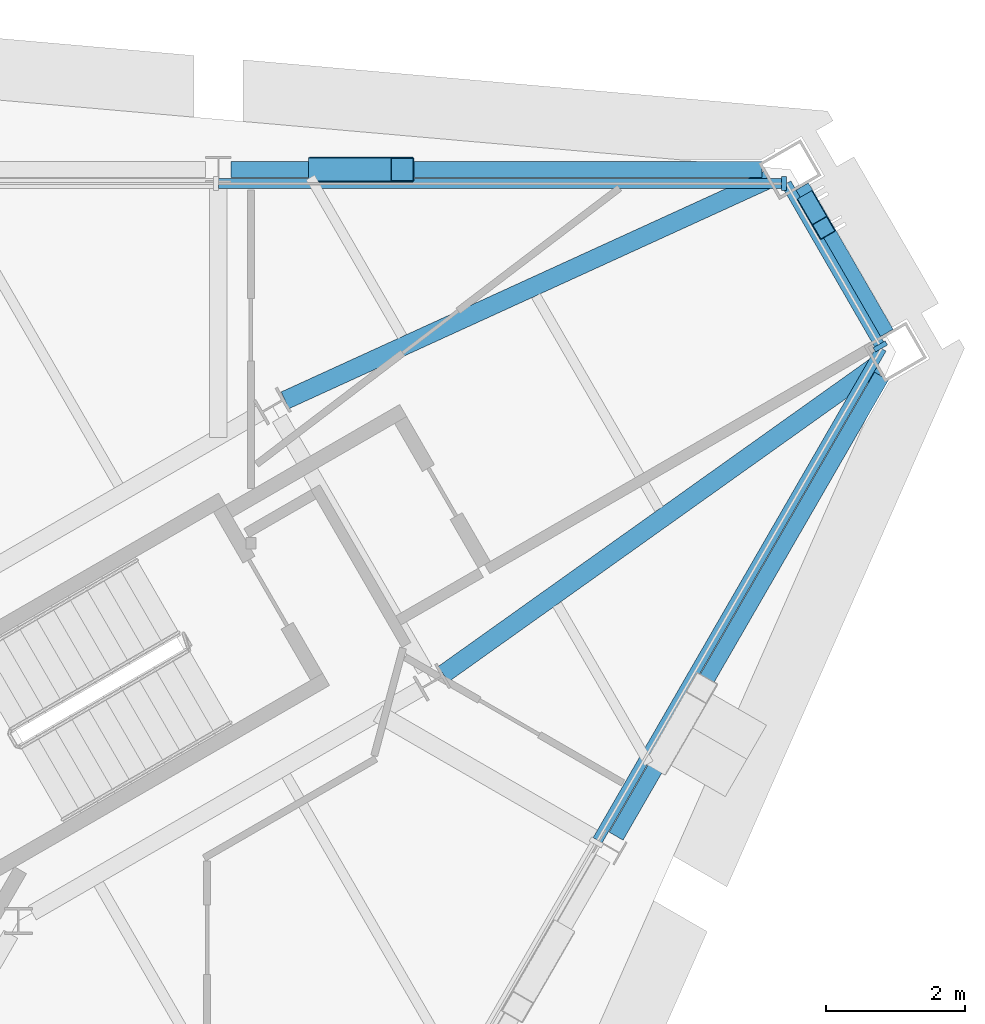
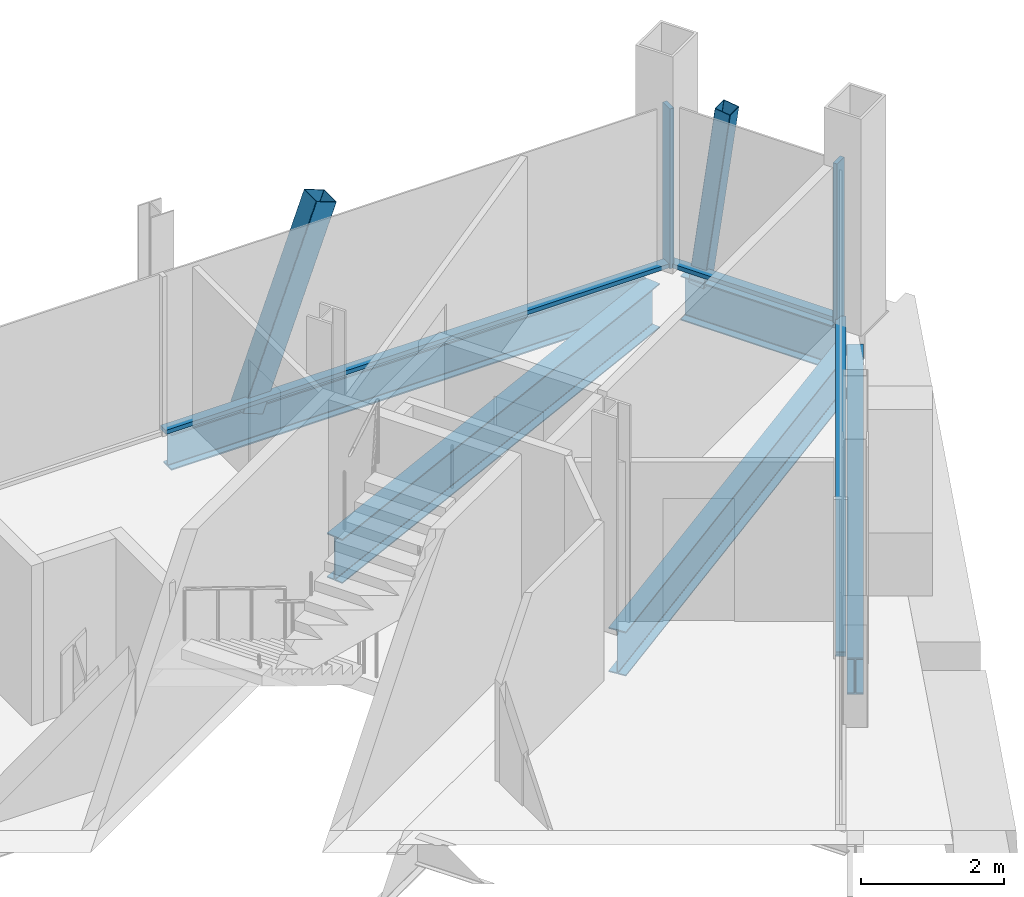
# One storey, part 6 of 13: 7 members, 5 beams, 3 elements without a shape of their own.
"""IFC4 building model written with IfcOpenShell, lengths in metres."""

from ifc_helpers import new_model, si_unit, direction, frame, origin, origin_2d, place, context, subcontext, project, spatial, rectangle, hollow_rectangle, i_section, extrude, material, material_profile, profile_set, type_object, element, aggregate, save


model = new_model("IFC4")

# Units and contexts
model_context = context("Model", 3, precision=1e-05, world=origin(), true_north=direction((0.0, 1.0)))
body_context = subcontext(model_context, "Body", "Model", "MODEL_VIEW")
ifc_project = project(units=[si_unit("LENGTHUNIT", "METRE"), si_unit("AREAUNIT", "SQUARE_METRE"), si_unit("VOLUMEUNIT", "CUBIC_METRE"), si_unit("PLANEANGLEUNIT", "RADIAN"), si_unit("MASSUNIT", "GRAM", prefix="KILO")], contexts=[model_context])

# Site, building, storey
site_placement = place(None, origin())
site = spatial("IfcSite", under=ifc_project, at=site_placement, CompositionType="ELEMENT")
building_placement = place(site_placement, origin())
building = spatial("IfcBuilding", under=site, at=building_placement, Name="Verrane Prism Tower", CompositionType="ELEMENT")
storey_placement = place(building_placement, frame((0.0, 0.0, 289.89990234375)))
storey = spatial("IfcBuildingStorey", under=building, at=storey_placement, Name="L73", CompositionType="ELEMENT", Elevation=289.89990234375)

# Member
ifc_material_1 = material(Name="Steel A500 Grade C", Category="steel")
ifc_material_profile_1 = material_profile(ifc_material_1, hollow_rectangle(XDim=0.25390625, YDim=0.25390625, WallThickness=0.009521484375, InnerFilletRadius=0.0048828125, OuterFilletRadius=0.014404296875, at=origin_2d()), Name="HSS10x10x3/8")
ifc_profile_set_1 = profile_set([ifc_material_profile_1], Name="Steel A500 Grade C")
member_type_1 = type_object("IfcMemberType", Name="Chamfer brace HSS10x10x3/8", PredefinedType="BRACE", material=ifc_profile_set_1)
member_1_placement = place(storey_placement, frame((20.87353515625, 13.176513671875, -0.242431640625), z_axis=(0.067861913608, -0.117357529496, 0.990768374017), x_axis=(0.865688187955, 0.500583620621, 0.0)))
element("IfcMember", 1, at=member_1_placement, inside=storey, type_object=member_type_1, Name="Chamfer brace NE0 L73", PredefinedType="BRACE", context=body_context, shape_type="SweptSolid", body=[
    extrude(hollow_rectangle(XDim=0.25390625, YDim=0.25390625, WallThickness=0.009521484375, InnerFilletRadius=0.0048828125, OuterFilletRadius=0.014404296875, at=origin_2d()), origin(), (0.0, 0.0, 1.0), 3.13720703125),
])

# Beams
ifc_material_2 = material(Name="Steel A992", Category="steel")
ifc_material_profile_2 = material_profile(ifc_material_2, i_section(OverallWidth=0.2666015625, OverallDepth=0.7568359375, WebThickness=0.013916015625, FlangeThickness=0.019287109375, FilletRadius=0.0166015625, at=origin_2d()), Name="W30x108")
ifc_profile_set_2 = profile_set([ifc_material_profile_2], Name="Steel A992")
beam_type_1 = type_object("IfcBeamType", Name="Chamfer spandrel beam W30x108", PredefinedType="SPANDREL", material=ifc_profile_set_2)
beam_1_placement = place(storey_placement, frame((21.969970703125, 11.27978515625, -0.538330078125), z_axis=(-0.500436097356, 0.865773476415, 0.0), x_axis=(-0.865773476415, -0.500436097356, 0.0)))
element("IfcBeam", 2, at=beam_1_placement, inside=storey, type_object=beam_type_1, Name="Chamfer spandrel beam L73", PredefinedType="SPANDREL", context=body_context, shape_type="SweptSolid", body=[
    extrude(i_section(OverallWidth=0.2666015625, OverallDepth=0.7568359375, WebThickness=0.013916015625, FlangeThickness=0.019287109375, FilletRadius=0.0166015625, at=origin_2d()), origin(), (0.0, 0.0, 1.0), 2.437744140625),
])
ifc_material_3 = material(Name="Steel A992", Category="steel")
ifc_material_profile_3 = material_profile(ifc_material_3, i_section(OverallWidth=0.2666015625, OverallDepth=0.7568359375, WebThickness=0.013916015625, FlangeThickness=0.019287109375, FilletRadius=0.0166015625, at=origin_2d()), Name="W30x108")
ifc_profile_set_3 = profile_set([ifc_material_profile_3], Name="Steel A992")
beam_type_2 = type_object("IfcBeamType", Name="Corner girder W30x108", PredefinedType="BEAM", material=ifc_profile_set_3)
for number, where, z_axis, x_axis, name in (
    (3, (21.833740234375, 10.81591796875, -0.598388671875), (-0.814401339816, -0.580302040067, 0.0), (0.580302040067, -0.814401339816, 0.0), "Corner girder L73"),
    (4, (20.2802734375, 13.50390625, -0.598388671875), (-0.909481370613, -0.415744677065, 0.0), (0.415744677065, -0.909481370613, 0.0), "Corner girder L73"),
):
    element("IfcBeam", number, at=place(storey_placement, frame(where, z_axis=z_axis, x_axis=x_axis)), inside=storey, type_object=beam_type_2, Name=name, PredefinedType="BEAM", context=body_context, shape_type="SweptSolid", body=[
        extrude(i_section(OverallWidth=0.2666015625, OverallDepth=0.7568359375, WebThickness=0.013916015625, FlangeThickness=0.019287109375, FilletRadius=0.0166015625, at=origin_2d()), origin(), (0.0, 0.0, 1.0), 7.650634765625),
    ])

# Member
ifc_material_4 = material(Name="Steel A500 Grade C", Category="steel")
ifc_material_profile_4 = material_profile(ifc_material_4, hollow_rectangle(XDim=0.355712890625, YDim=0.355712890625, WallThickness=0.0126953125, InnerFilletRadius=0.00634765625, OuterFilletRadius=0.01904296875, at=origin_2d()), Name="HSS14x14x1/2")
ifc_profile_set_4 = profile_set([ifc_material_profile_4], Name="Steel A500 Grade C")
member_type_2 = type_object("IfcMemberType", Name="Facade brace HSS14x14x1/2", PredefinedType="BRACE", material=ifc_profile_set_4)
member_2_placement = place(storey_placement, frame((13.826904296875, 13.64990234375, -0.216552734375), z_axis=(0.34797434891, 0.0, 0.937504054658), x_axis=(0.0, 1.0, 0.0)))
element("IfcMember", 5, at=member_2_placement, inside=storey, type_object=member_type_2, Name="Facade brace N0 L73", PredefinedType="BRACE", context=body_context, shape_type="SweptSolid", body=[
    extrude(hollow_rectangle(XDim=0.355712890625, YDim=0.355712890625, WallThickness=0.0126953125, InnerFilletRadius=0.00634765625, OuterFilletRadius=0.01904296875, at=origin_2d()), origin(), (0.0, 0.0, 1.0), 3.4091796875),
])

# Curtain wall, member
ifc_material_5 = material(Name="Aluminium framed insulated glazing", Category="aluminium")
curtain_wall_type = type_object("IfcCurtainWallType", Name="Curtain wall CW-A 8400 module", PredefinedType="NOTDEFINED", material=ifc_material_5)
curtain_wall_1_placement = place(storey_placement, origin())
curtain_wall_1 = element("IfcCurtainWall", 6, at=curtain_wall_1_placement, inside=storey, type_object=curtain_wall_type, Name="Glazed curtain wall north-east corner L73", PredefinedType="NOTDEFINED")
ifc_material_6 = material(Name="Aluminium alloy 6063-T6", Category="aluminium")
ifc_material_profile_5 = material_profile(ifc_material_6, rectangle(XDim=0.199951171875, YDim=0.070068359375, at=origin_2d()), Name="Mullion 70x200 aluminium")
ifc_profile_set_5 = profile_set([ifc_material_profile_5], Name="Aluminium alloy 6063-T6")
member_type_3 = type_object("IfcMemberType", Name="Mullion 70x200 aluminium", PredefinedType="MULLION", material=ifc_profile_set_5)
member_3_placement = place(storey_placement, frame((21.901123046875, 11.10009765625, 0.0), z_axis=(0.0, 0.0, 1.0), x_axis=(-0.866024225493, -0.500002040855, 0.0)))
member_3 = element("IfcMember", 7, at=member_3_placement, type_object=member_type_3, Name="CW72.1 mullion 1", PredefinedType="MULLION", context=body_context, shape_type="SweptSolid", body=[
    extrude(rectangle(XDim=0.199951171875, YDim=0.070068359375, at=origin_2d()), origin(), (0.0, 0.0, 1.0), 2.72314453125),
])

curtain_wall_2_placement = place(storey_placement, origin())
curtain_wall_2 = element("IfcCurtainWall", 8, at=curtain_wall_2_placement, inside=storey, type_object=curtain_wall_type, Name="Glazed curtain wall north face L73", PredefinedType="NOTDEFINED")
member_4_placement = place(storey_placement, frame((20.510986328125, 13.447265625, 0.0), z_axis=(0.0, 0.0, 1.0), x_axis=(0.0, -1.0, 0.0)))
member_4 = element("IfcMember", 9, at=member_4_placement, type_object=member_type_3, Name="CW72.2 mullion 1", PredefinedType="MULLION", context=body_context, shape_type="SweptSolid", body=[
    extrude(rectangle(XDim=0.199951171875, YDim=0.070068359375, at=origin_2d()), origin(), (0.0, 0.0, 1.0), 2.72314453125),
])

# Beams
ifc_material_7 = material(Name="Steel A992", Category="steel")
ifc_material_profile_6 = material_profile(ifc_material_7, i_section(OverallWidth=0.23046875, OverallDepth=0.6171875, WebThickness=0.01318359375, FlangeThickness=0.022216796875, FilletRadius=0.012939453125, at=origin_2d()), Name="W24x94")
ifc_profile_set_6 = profile_set([ifc_material_profile_6], Name="Steel A992")
beam_type_3 = type_object("IfcBeamType", Name="Spandrel beam W24x94", PredefinedType="SPANDREL", material=ifc_profile_set_6)
beam_2_placement = place(storey_placement, frame((20.19580078125, 13.64990234375, -0.468505859375), z_axis=(-1.0, 0.0, 0.0), x_axis=(0.0, -1.0, 0.0)))
element("IfcBeam", 10, at=beam_2_placement, inside=storey, type_object=beam_type_3, Name="Spandrel beam L73", PredefinedType="SPANDREL", context=body_context, shape_type="SweptSolid", body=[
    extrude(i_section(OverallWidth=0.23046875, OverallDepth=0.6171875, WebThickness=0.01318359375, FlangeThickness=0.022216796875, FilletRadius=0.012939453125, at=origin_2d()), origin(), (0.0, 0.0, 1.0), 7.649169921875),
])
beam_3_placement = place(storey_placement, frame((18.09326171875, 4.041748046875, -0.468505859375), z_axis=(0.499797022492, 0.866142561192, 0.0), x_axis=(-0.866142561192, 0.499797022492, 0.0)))
element("IfcBeam", 11, at=beam_3_placement, inside=storey, type_object=beam_type_3, Name="Spandrel beam L73", PredefinedType="SPANDREL", context=body_context, shape_type="SweptSolid", body=[
    extrude(i_section(OverallWidth=0.23046875, OverallDepth=0.6171875, WebThickness=0.01318359375, FlangeThickness=0.022216796875, FilletRadius=0.012939453125, at=origin_2d()), origin(), (0.0, 0.0, 1.0), 7.652587890625),
])

# Member
ifc_material_8 = material(Name="Aluminium alloy 6063-T6", Category="aluminium")
ifc_material_profile_7 = material_profile(ifc_material_8, rectangle(XDim=0.14990234375, YDim=0.070068359375, at=origin_2d()), Name="Transom 70x150 aluminium")
ifc_profile_set_7 = profile_set([ifc_material_profile_7], Name="Aluminium alloy 6063-T6")
member_type_4 = type_object("IfcMemberType", Name="Transom 70x150 aluminium", PredefinedType="USERDEFINED", material=ifc_profile_set_7)
member_5_placement = place(storey_placement, frame((21.8837890625, 11.13037109375, 0.03515625), z_axis=(-0.499996300355, 0.866027539765, 0.0), x_axis=(-0.866027539765, -0.499996300355, 0.0)))
member_5 = element("IfcMember", 12, at=member_5_placement, type_object=member_type_4, Name="CW72.1 transom 1", ObjectType="TRANSOM", PredefinedType="USERDEFINED", context=body_context, shape_type="SweptSolid", body=[
    extrude(rectangle(XDim=0.14990234375, YDim=0.070068359375, at=origin_2d()), origin(), (0.0, 0.0, 1.0), 2.67529296875),
])

aggregate(curtain_wall_1, [member_3, member_5])

member_6_placement = place(storey_placement, frame((20.47607421875, 13.447265625, 0.03515625), z_axis=(-1.0, 0.0, 0.0), x_axis=(0.0, -1.0, 0.0)))
member_6 = element("IfcMember", 13, at=member_6_placement, type_object=member_type_4, Name="CW72.2 transom 1", ObjectType="TRANSOM", PredefinedType="USERDEFINED", context=body_context, shape_type="SweptSolid", body=[
    extrude(rectangle(XDim=0.14990234375, YDim=0.070068359375, at=origin_2d()), origin(), (0.0, 0.0, 1.0), 8.113525390625),
])

aggregate(curtain_wall_2, [member_4, member_6])

# Curtain wall, member
curtain_wall_3_placement = place(storey_placement, origin())
curtain_wall_3 = element("IfcCurtainWall", 14, at=curtain_wall_3_placement, inside=storey, type_object=curtain_wall_type, Name="Glazed curtain wall south-east face L73", PredefinedType="NOTDEFINED")
member_7_placement = place(storey_placement, frame((17.826904296875, 3.982666015625, 0.03515625), z_axis=(0.500002215902, 0.866024124429, 0.0), x_axis=(-0.866024124429, 0.500002215902, 0.0)))
member_7 = element("IfcMember", 15, at=member_7_placement, type_object=member_type_4, Name="CW72.6 transom 5", ObjectType="TRANSOM", PredefinedType="USERDEFINED", context=body_context, shape_type="SweptSolid", body=[
    extrude(rectangle(XDim=0.14990234375, YDim=0.070068359375, at=origin_2d()), origin(), (0.0, 0.0, 1.0), 8.18359375),
])
aggregate(curtain_wall_3, [member_7])

save(model, "model.ifc")
